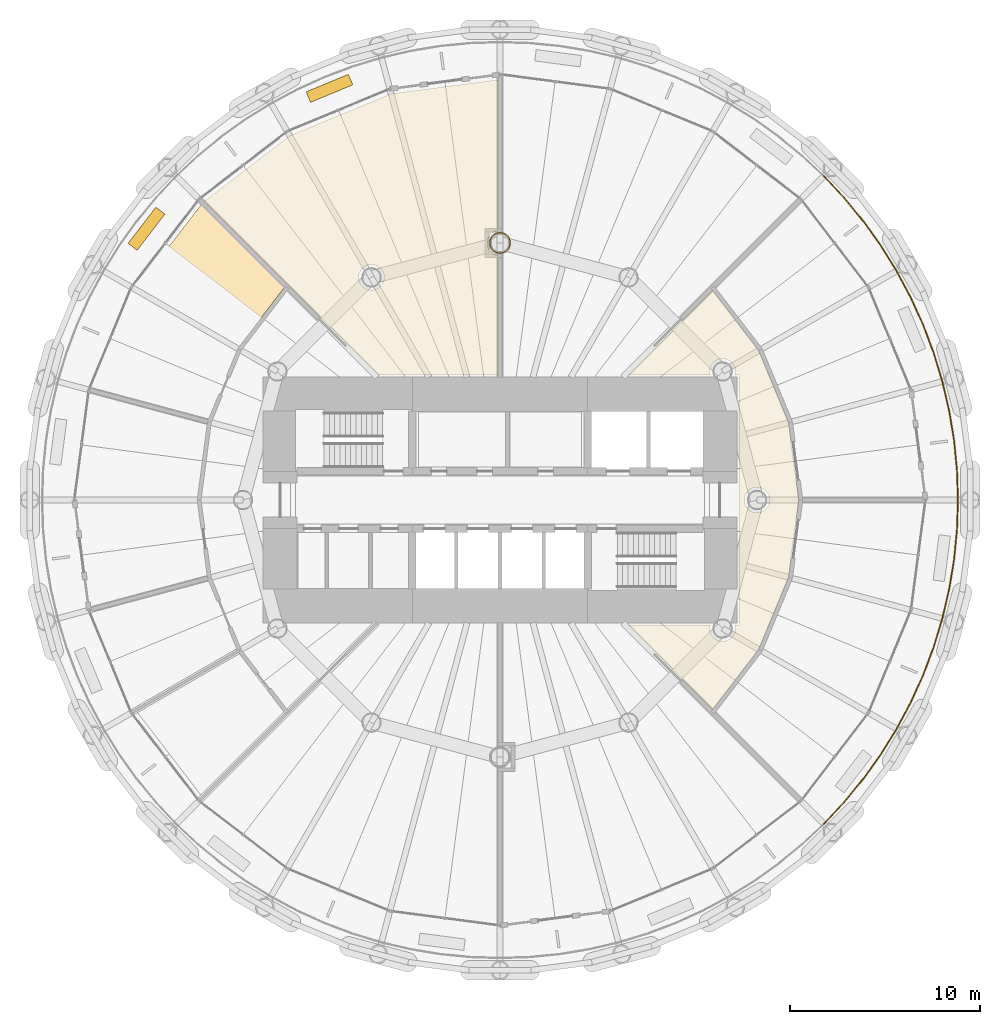
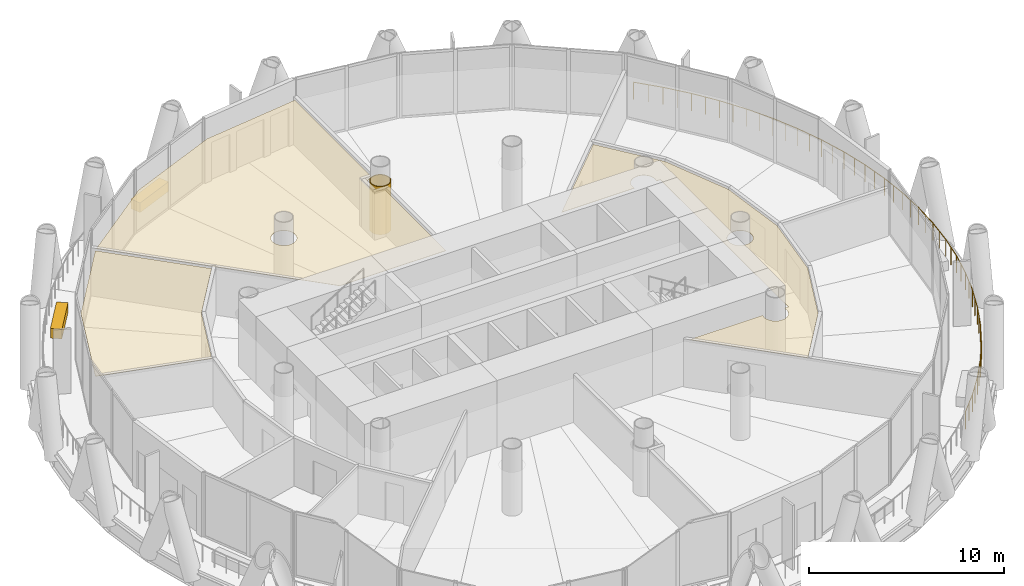
# One storey, part 14 of 15: 6 coverings, 1 railing.
"""IFC4 building model written with IfcOpenShell, lengths in metres."""

import ifcopenshell
import ifcopenshell.guid

model = None  # the IFC model being written
_history = None  # IfcOwnerHistory: only IFC2X3 demands one
_inside = {}  # id of a spatial element -> (the spatial element, [elements in it])
_under = {}  # id of a project, library or spatial element -> (it, [spatial elements below it])
_declared = {}  # id of a project -> (the project, [libraries it declares])
_typed = {}  # id of a type object -> (the type object, [elements of that type])
_made_of = {}  # id of a material, layer set ... -> (it, [elements and type objects made of it])


def new_model(schema):
    """Start an empty IFC model of exactly this schema.

    Asked for "IFC4X3", IfcOpenShell would pick the latest addendum, in which some entities
    have other attributes; the version numbers below select the first issue.
    IFC2X3 requires an IfcOwnerHistory on every rooted entity: one is made here for all.
    """
    global model, _history
    if schema == "IFC4X3":
        model = ifcopenshell.file(schema_version=(4, 3, 0, 0))
    else:
        model = ifcopenshell.file(schema=schema)
    _inside.clear()
    _under.clear()
    _declared.clear()
    _typed.clear()
    _made_of.clear()
    _history = None
    if model.schema == "IFC2X3":
        org = make("IfcOrganization", Name="unknown")
        user = make(
            "IfcPersonAndOrganization",
            ThePerson=make("IfcPerson", FamilyName="unknown"),
            TheOrganization=org,
        )
        app = make(
            "IfcApplication",
            ApplicationDeveloper=org,
            Version="unknown",
            ApplicationFullName="unknown",
            ApplicationIdentifier="unknown",
        )
        _history = make(
            "IfcOwnerHistory",
            OwningUser=user,
            OwningApplication=app,
            ChangeAction="ADDED",
            CreationDate=0,
        )
    return model


def make(cls, **values):
    """One entity of the class cls with the attributes given. An attribute that is None is left unset."""
    return model.create_entity(
        cls, **{name: value for name, value in values.items() if value is not None}
    )


def rooted(cls, **values):
    """An entity with a GlobalId (a new one), such as an element, a storey or a relation."""
    return make(cls, GlobalId=ifcopenshell.guid.new(), OwnerHistory=_history, **values)


def si_unit(unit_type, name, prefix=None):
    """IfcSIUnit, for example si_unit("LENGTHUNIT", "METRE", prefix="MILLI")."""
    return make("IfcSIUnit", UnitType=unit_type, Prefix=prefix, Name=name)


def assignment(units):
    """IfcUnitAssignment: the units of a project."""
    return None if units is None else make("IfcUnitAssignment", Units=units)


def point(xyz):
    """IfcCartesianPoint."""
    return None if xyz is None else make("IfcCartesianPoint", Coordinates=xyz)


def direction(xyz):
    """IfcDirection."""
    return None if xyz is None else make("IfcDirection", DirectionRatios=xyz)


def frame(location, z_axis=None, x_axis=None):
    """IfcAxis2Placement3D, a coordinate frame: its origin and axes. An axis left out is left unset."""
    return make(
        "IfcAxis2Placement3D",
        Location=point(location),
        Axis=direction(z_axis),
        RefDirection=direction(x_axis),
    )


def frame_2d(location, x_axis=None):
    """IfcAxis2Placement2D, a coordinate frame in the plane: its origin and x axis."""
    return make(
        "IfcAxis2Placement2D", Location=point(location), RefDirection=direction(x_axis)
    )


def origin():
    """The frame at (0, 0, 0) with its axes left unset."""
    return frame((0.0, 0.0, 0.0))


def origin_2d():
    """The frame at (0, 0) in the plane with its x axis left unset."""
    return frame_2d((0.0, 0.0))


def place(relative_to, where):
    """IfcLocalPlacement: puts the frame where relative to a parent placement (None: the world)."""
    return make(
        "IfcLocalPlacement", PlacementRelTo=relative_to, RelativePlacement=where
    )


def context(
    kind, dimensions, precision=None, world=None, true_north=None, identifier=None
):
    """IfcGeometricRepresentationContext, for example the 3D "Model" context."""
    return make(
        "IfcGeometricRepresentationContext",
        ContextIdentifier=identifier,
        ContextType=kind,
        CoordinateSpaceDimension=dimensions,
        Precision=precision,
        WorldCoordinateSystem=world,
        TrueNorth=true_north,
    )


def subcontext(parent, identifier, kind, view, scale=None):
    """IfcGeometricRepresentationSubContext, for example "Body" below "Model"."""
    return make(
        "IfcGeometricRepresentationSubContext",
        ContextIdentifier=identifier,
        ContextType=kind,
        ParentContext=parent,
        TargetScale=scale,
        TargetView=view,
    )


def project(units=None, contexts=None):
    """IfcProject with its units and contexts."""
    return rooted(
        "IfcProject",
        Name="project",
        RepresentationContexts=contexts,
        UnitsInContext=assignment(units),
    )


def spatial(cls, under=None, at=None, **own):
    """A site, building, storey or space (cls), placed at a placement, below another one or the project."""
    s = rooted(cls, ObjectPlacement=at, **own)
    if under is not None:
        _under.setdefault(under.id(), (under, []))[1].append(s)
    return s


def polyline(points):
    """IfcPolyline through the points."""
    return make("IfcPolyline", Points=[point(p) for p in points])


def profile(cls, at=None, kind="AREA", **sizes):
    """A parametric profile (cls). Its sizes go by their IFC names, for example OverallWidth=200.0."""
    return make(cls, ProfileType=kind, Position=at, **sizes)


def rectangle(**sizes):
    """IfcRectangleProfileDef."""
    return profile("IfcRectangleProfileDef", **sizes)


def circle(**sizes):
    """IfcCircleProfileDef."""
    return profile("IfcCircleProfileDef", **sizes)


def outline(outer, holes=None, kind="AREA"):
    """IfcArbitraryClosedProfileDef: a profile drawn as a closed curve; with holes, ...WithVoids."""
    if holes is None:
        return make("IfcArbitraryClosedProfileDef", ProfileType=kind, OuterCurve=outer)
    return make(
        "IfcArbitraryProfileDefWithVoids",
        ProfileType=kind,
        OuterCurve=outer,
        InnerCurves=holes,
    )


def extrude(swept, where, along, depth):
    """IfcExtrudedAreaSolid: the profile swept, set in the frame where, extruded along a direction by depth."""
    return make(
        "IfcExtrudedAreaSolid",
        SweptArea=swept,
        Position=where,
        ExtrudedDirection=direction(along),
        Depth=depth,
    )


def shape(context_of_items, identifier, shape_type, items):
    """IfcShapeRepresentation: the items that make up one representation, for example the "Body"."""
    return make(
        "IfcShapeRepresentation",
        ContextOfItems=context_of_items,
        RepresentationIdentifier=identifier,
        RepresentationType=shape_type,
        Items=items,
    )


def material(Name=None, Category=None):
    """IfcMaterial."""
    return make("IfcMaterial", Name=Name, Category=Category)


def layer(
    of_material, thickness, ventilated=None, Name=None, Category=None, Priority=None
):
    """IfcMaterialLayer: one layer of a wall or slab, of a material (None: an air gap)."""
    return make(
        "IfcMaterialLayer",
        Material=of_material,
        LayerThickness=thickness,
        IsVentilated=ventilated,
        Name=Name,
        Category=Category,
        Priority=Priority,
    )


def layer_set(layers, Name=None):
    """IfcMaterialLayerSet."""
    return make("IfcMaterialLayerSet", MaterialLayers=layers, LayerSetName=Name)


def made_of(thing, what):
    """Note that an element or type object is made of a material, layer set ...; save() writes the relation."""
    if what is not None:
        _made_of.setdefault(what.id(), (what, []))[1].append(thing)
    return thing


def type_object(cls, material=None, **own):
    """A type object (cls), such as IfcWallType, which elements share."""
    return made_of(rooted(cls, **own), material)


def element(
    cls,
    number,
    at=None,
    inside=None,
    cuts=None,
    type_object=None,
    material=None,
    context=None,
    identifier="Body",
    shape_type=None,
    held_by="IfcProductDefinitionShape",
    body=None,
    shapes=None,
    **own,
):
    """One element of the class cls, such as IfcWall. Its Tag is "e" and its number.

    at: its placement. inside: the storey or other place that contains it. cuts: it is an
    opening in that element (IfcRelVoidsElement). A single representation is given by context,
    identifier, shape_type and body (its items); several are given by shapes. held_by: the class
    of the entity that holds the representations. save() writes the other relations.
    """
    e = rooted(cls, Tag="e%d" % number, ObjectPlacement=at, **own)
    if body is not None:
        shapes = [shape(context, identifier, shape_type, body)]
    if shapes is not None:
        e.Representation = make(held_by, Representations=shapes)
    if inside is not None:
        _inside.setdefault(inside.id(), (inside, []))[1].append(e)
    if cuts is not None:
        rooted(
            "IfcRelVoidsElement", RelatingBuildingElement=cuts, RelatedOpeningElement=e
        )
    if type_object is not None:
        _typed.setdefault(type_object.id(), (type_object, []))[1].append(e)
    return made_of(e, material)


def aggregate(whole, parts):
    """IfcRelAggregates: a whole, such as a stair, and the parts it consists of."""
    return rooted("IfcRelAggregates", RelatingObject=whole, RelatedObjects=parts)


def save(model, path):
    """Write the relations noted so far, then the file.

    IfcRelAggregates (storeys below a building ...), IfcRelContainedInSpatialStructure (elements
    in a storey), IfcRelDefinesByType, IfcRelAssociatesMaterial and IfcRelDeclares: one each for
    every whole, place, type object, material and project.
    """
    for whole, parts in _under.values():
        aggregate(whole, parts)
    for where, things in _inside.values():
        rooted(
            "IfcRelContainedInSpatialStructure",
            RelatedElements=things,
            RelatingStructure=where,
        )
    for kind, things in _typed.values():
        rooted("IfcRelDefinesByType", RelatedObjects=things, RelatingType=kind)
    for what, things in _made_of.values():
        rooted("IfcRelAssociatesMaterial", RelatedObjects=things, RelatingMaterial=what)
    for by, libraries in _declared.values():
        rooted("IfcRelDeclares", RelatingContext=by, RelatedDefinitions=libraries)
    model.write(path)


model = new_model("IFC4")

# Units and contexts
model_context = context("Model", 3, precision=1e-05, world=origin(), true_north=direction((0.0, 1.0)))
body_context = subcontext(model_context, "Body", "Model", "MODEL_VIEW")
ifc_project = project(units=[si_unit("LENGTHUNIT", "METRE"), si_unit("AREAUNIT", "SQUARE_METRE"), si_unit("VOLUMEUNIT", "CUBIC_METRE"), si_unit("PLANEANGLEUNIT", "RADIAN"), si_unit("MASSUNIT", "GRAM", prefix="KILO")], contexts=[model_context])

# Site, building, storey
site_placement = place(None, origin())
site = spatial("IfcSite", under=ifc_project, at=site_placement, CompositionType="ELEMENT")
building_placement = place(site_placement, origin())
building = spatial("IfcBuilding", under=site, at=building_placement, Name="Qaws Media Tower", CompositionType="ELEMENT")
storey_placement = place(building_placement, frame((0.0, 0.0, 156.199951171875)))
storey = spatial("IfcBuildingStorey", under=building, at=storey_placement, Name="L35", CompositionType="ELEMENT", Elevation=156.199951171875)

# Railing
ifc_material_1 = material(Name="Stainless steel and glass guard", Category="steel")
railing_type = type_object("IfcRailingType", Name="Balcony guard 1100", PredefinedType="GUARDRAIL", material=ifc_material_1)
railing_placement = place(storey_placement, frame((77.005859375, 32.994140625, 0.0)))
element("IfcRailing", 1, at=railing_placement, inside=storey, type_object=railing_type, Name="GR1 balcony guard L35-4", PredefinedType="GUARDRAIL", context=body_context, shape_type="SweptSolid", body=[
    extrude(circle(Radius=0.02392578125, at=origin_2d()), frame((0.0, 0.0, 1.076171875), z_axis=(0.683615985201, 0.729841890259, 0.0), x_axis=(-0.729841890259, 0.683615985201, 0.0)), (0.0, 0.0, 1.0), 1.573974609375),
    extrude(circle(Radius=0.02392578125, at=origin_2d()), frame((1.075927734375, 1.148681640625, 1.076171875), z_axis=(0.634352271014, 0.773044110164, 0.0), x_axis=(-0.773044110164, 0.634352271014, 0.0)), (0.0, 0.0, 1.0), 1.57373046875),
    extrude(circle(Radius=0.02392578125, at=origin_2d()), frame((2.07421875, 2.365234375, 1.076171875), z_axis=(0.582558231621, 0.812788968165, 0.0), x_axis=(-0.812788968165, 0.582558231621, 0.0)), (0.0, 0.0, 1.0), 1.57373046875),
    extrude(circle(Radius=0.02392578125, at=origin_2d()), frame((2.990966796875, 3.644287109375, 1.076171875), z_axis=(0.52800366673, 0.84924209029, 0.0), x_axis=(-0.84924209029, 0.52800366673, 0.0)), (0.0, 0.0, 1.0), 1.573974609375),
    extrude(circle(Radius=0.02392578125, at=origin_2d()), frame((3.822021484375, 4.98095703125, 1.076171875), z_axis=(0.471433439055, 0.881901645616, 0.0), x_axis=(-0.881901645616, 0.471433439055, 0.0)), (0.0, 0.0, 1.0), 1.57373046875),
    extrude(circle(Radius=0.02392578125, at=origin_2d()), frame((4.56396484375, 6.368896484375, 1.076171875), z_axis=(0.412692163403, 0.910870560654, 0.0), x_axis=(-0.910870560654, 0.412692163403, 0.0)), (0.0, 0.0, 1.0), 1.573486328125),
    extrude(circle(Radius=0.02392578125, at=origin_2d()), frame((5.21337890625, 7.80224609375, 1.076171875), z_axis=(0.352296190405, 0.935888558658, 0.0), x_axis=(-0.935888558658, 0.352296190405, 0.0)), (0.0, 0.0, 1.0), 1.57373046875),
    extrude(circle(Radius=0.02392578125, at=origin_2d()), frame((5.767822265625, 9.275146484375, 1.076171875), z_axis=(0.290235570838, 0.956955230625, 0.0), x_axis=(-0.956955230625, 0.290235570838, 0.0)), (0.0, 0.0, 1.0), 1.57373046875),
    extrude(circle(Radius=0.02392578125, at=origin_2d()), frame((6.224609375, 10.78125, 1.076171875), z_axis=(0.227102114156, 0.973870951279, 0.0), x_axis=(-0.973870951279, 0.227102114156, 0.0)), (0.0, 0.0, 1.0), 1.57373046875),
    extrude(circle(Radius=0.02392578125, at=origin_2d()), frame((6.58203125, 12.31396484375, 1.076171875), z_axis=(0.16288939503, 0.986644335608, 0.0), x_axis=(-0.986644335608, 0.16288939503, 0.0)), (0.0, 0.0, 1.0), 1.57373046875),
    extrude(circle(Radius=0.02392578125, at=origin_2d()), frame((6.83837890625, 13.86669921875, 1.076171875), z_axis=(0.098044434613, 0.995182038042, 0.0), x_axis=(-0.995182038042, 0.098044434613, 0.0)), (0.0, 0.0, 1.0), 1.57373046875),
    extrude(circle(Radius=0.02392578125, at=origin_2d()), frame((6.99267578125, 15.432861328125, 1.076171875), z_axis=(0.032731172502, 0.999464191628, 0.0), x_axis=(-0.999464191628, 0.032731172502, 0.0)), (0.0, 0.0, 1.0), 1.57373046875),
    extrude(circle(Radius=0.02392578125, at=origin_2d()), frame((7.044189453125, 17.005859375, 1.076171875), z_axis=(-0.032731172502, 0.999464191628, 0.0), x_axis=(-0.999464191628, -0.032731172502, 0.0)), (0.0, 0.0, 1.0), 1.57373046875),
    extrude(circle(Radius=0.02392578125, at=origin_2d()), frame((6.99267578125, 18.578857421875, 1.076171875), z_axis=(-0.098044434613, 0.995182038042, 0.0), x_axis=(-0.995182038042, -0.098044434613, 0.0)), (0.0, 0.0, 1.0), 1.57373046875),
    extrude(circle(Radius=0.02392578125, at=origin_2d()), frame((6.83837890625, 20.14501953125, 1.076171875), z_axis=(-0.16288939503, 0.986644335608, 0.0), x_axis=(-0.986644335608, -0.16288939503, 0.0)), (0.0, 0.0, 1.0), 1.57373046875),
    extrude(circle(Radius=0.02392578125, at=origin_2d()), frame((6.58203125, 21.69775390625, 1.076171875), z_axis=(-0.227102114156, 0.973870951279, 0.0), x_axis=(-0.973870951279, -0.227102114156, 0.0)), (0.0, 0.0, 1.0), 1.57373046875),
    extrude(circle(Radius=0.02392578125, at=origin_2d()), frame((6.224609375, 23.23046875, 1.076171875), z_axis=(-0.290235570838, 0.956955230625, 0.0), x_axis=(-0.956955230625, -0.290235570838, 0.0)), (0.0, 0.0, 1.0), 1.57373046875),
    extrude(circle(Radius=0.02392578125, at=origin_2d()), frame((5.767822265625, 24.736572265625, 1.076171875), z_axis=(-0.352296190405, 0.935888558658, 0.0), x_axis=(-0.935888558658, -0.352296190405, 0.0)), (0.0, 0.0, 1.0), 1.57373046875),
    extrude(circle(Radius=0.02392578125, at=origin_2d()), frame((5.21337890625, 26.20947265625, 1.076171875), z_axis=(-0.412692163403, 0.910870560654, 0.0), x_axis=(-0.910870560654, -0.412692163403, 0.0)), (0.0, 0.0, 1.0), 1.573486328125),
    extrude(circle(Radius=0.02392578125, at=origin_2d()), frame((4.56396484375, 27.642822265625, 1.076171875), z_axis=(-0.471433439055, 0.881901645616, 0.0), x_axis=(-0.881901645616, -0.471433439055, 0.0)), (0.0, 0.0, 1.0), 1.57373046875),
    extrude(circle(Radius=0.02392578125, at=origin_2d()), frame((3.822021484375, 29.03076171875, 1.076171875), z_axis=(-0.52800366673, 0.84924209029, 0.0), x_axis=(-0.84924209029, -0.52800366673, 0.0)), (0.0, 0.0, 1.0), 1.573974609375),
    extrude(circle(Radius=0.02392578125, at=origin_2d()), frame((2.990966796875, 30.367431640625, 1.076171875), z_axis=(-0.582558231621, 0.812788968165, 0.0), x_axis=(-0.812788968165, -0.582558231621, 0.0)), (0.0, 0.0, 1.0), 1.57373046875),
    extrude(circle(Radius=0.02392578125, at=origin_2d()), frame((2.07421875, 31.646484375, 1.076171875), z_axis=(-0.634352271014, 0.773044110164, 0.0), x_axis=(-0.773044110164, -0.634352271014, 0.0)), (0.0, 0.0, 1.0), 1.57373046875),
    extrude(circle(Radius=0.02392578125, at=origin_2d()), frame((1.075927734375, 32.863037109375, 1.076171875), z_axis=(-0.683615985201, 0.729841890259, 0.0), x_axis=(-0.729841890259, -0.683615985201, 0.0)), (0.0, 0.0, 1.0), 1.573974609375),
    extrude(circle(Radius=0.02099609375, at=origin_2d()), origin(), (0.0, 0.0, 1.0), 1.052001953125),
    extrude(circle(Radius=0.02099609375, at=origin_2d()), frame((0.5380859375, 0.57421875, 0.0)), (0.0, 0.0, 1.0), 1.052001953125),
    extrude(circle(Radius=0.02099609375, at=origin_2d()), frame((1.075927734375, 1.148681640625, 0.0)), (0.0, 0.0, 1.0), 1.052001953125),
    extrude(circle(Radius=0.02099609375, at=origin_2d()), frame((1.5751953125, 1.7568359375, 0.0)), (0.0, 0.0, 1.0), 1.052001953125),
    extrude(circle(Radius=0.02099609375, at=origin_2d()), frame((2.07421875, 2.365234375, 0.0)), (0.0, 0.0, 1.0), 1.052001953125),
    extrude(circle(Radius=0.02099609375, at=origin_2d()), frame((2.53271484375, 3.0048828125, 0.0)), (0.0, 0.0, 1.0), 1.052001953125),
    extrude(circle(Radius=0.02099609375, at=origin_2d()), frame((2.990966796875, 3.644287109375, 0.0)), (0.0, 0.0, 1.0), 1.052001953125),
    extrude(circle(Radius=0.02099609375, at=origin_2d()), frame((3.406494140625, 4.3125, 0.0)), (0.0, 0.0, 1.0), 1.052001953125),
    extrude(circle(Radius=0.02099609375, at=origin_2d()), frame((3.822021484375, 4.98095703125, 0.0)), (0.0, 0.0, 1.0), 1.052001953125),
    extrude(circle(Radius=0.02099609375, at=origin_2d()), frame((4.19287109375, 5.6748046875, 0.0)), (0.0, 0.0, 1.0), 1.052001953125),
    extrude(circle(Radius=0.02099609375, at=origin_2d()), frame((4.56396484375, 6.368896484375, 0.0)), (0.0, 0.0, 1.0), 1.052001953125),
    extrude(circle(Radius=0.02099609375, at=origin_2d()), frame((4.888671875, 7.08544921875, 0.0)), (0.0, 0.0, 1.0), 1.052001953125),
    extrude(circle(Radius=0.02099609375, at=origin_2d()), frame((5.21337890625, 7.80224609375, 0.0)), (0.0, 0.0, 1.0), 1.052001953125),
    extrude(circle(Radius=0.02099609375, at=origin_2d()), frame((5.49072265625, 8.53857421875, 0.0)), (0.0, 0.0, 1.0), 1.052001953125),
    extrude(circle(Radius=0.02099609375, at=origin_2d()), frame((5.767822265625, 9.275146484375, 0.0)), (0.0, 0.0, 1.0), 1.052001953125),
    extrude(circle(Radius=0.02099609375, at=origin_2d()), frame((5.99609375, 10.0283203125, 0.0)), (0.0, 0.0, 1.0), 1.052001953125),
    extrude(circle(Radius=0.02099609375, at=origin_2d()), frame((6.224609375, 10.78125, 0.0)), (0.0, 0.0, 1.0), 1.052001953125),
    extrude(circle(Radius=0.02099609375, at=origin_2d()), frame((6.4033203125, 11.547607421875, 0.0)), (0.0, 0.0, 1.0), 1.052001953125),
    extrude(circle(Radius=0.02099609375, at=origin_2d()), frame((6.58203125, 12.31396484375, 0.0)), (0.0, 0.0, 1.0), 1.052001953125),
    extrude(circle(Radius=0.02099609375, at=origin_2d()), frame((6.710205078125, 13.09033203125, 0.0)), (0.0, 0.0, 1.0), 1.052001953125),
    extrude(circle(Radius=0.02099609375, at=origin_2d()), frame((6.83837890625, 13.86669921875, 0.0)), (0.0, 0.0, 1.0), 1.052001953125),
    extrude(circle(Radius=0.02099609375, at=origin_2d()), frame((6.91552734375, 14.64990234375, 0.0)), (0.0, 0.0, 1.0), 1.052001953125),
    extrude(circle(Radius=0.02099609375, at=origin_2d()), frame((6.99267578125, 15.432861328125, 0.0)), (0.0, 0.0, 1.0), 1.052001953125),
    extrude(circle(Radius=0.02099609375, at=origin_2d()), frame((7.0185546875, 16.21923828125, 0.0)), (0.0, 0.0, 1.0), 1.052001953125),
    extrude(circle(Radius=0.02099609375, at=origin_2d()), frame((7.044189453125, 17.005859375, 0.0)), (0.0, 0.0, 1.0), 1.052001953125),
    extrude(circle(Radius=0.02099609375, at=origin_2d()), frame((7.0185546875, 17.79248046875, 0.0)), (0.0, 0.0, 1.0), 1.052001953125),
    extrude(circle(Radius=0.02099609375, at=origin_2d()), frame((6.99267578125, 18.578857421875, 0.0)), (0.0, 0.0, 1.0), 1.052001953125),
    extrude(circle(Radius=0.02099609375, at=origin_2d()), frame((6.91552734375, 19.36181640625, 0.0)), (0.0, 0.0, 1.0), 1.052001953125),
    extrude(circle(Radius=0.02099609375, at=origin_2d()), frame((6.83837890625, 20.14501953125, 0.0)), (0.0, 0.0, 1.0), 1.052001953125),
    extrude(circle(Radius=0.02099609375, at=origin_2d()), frame((6.710205078125, 20.92138671875, 0.0)), (0.0, 0.0, 1.0), 1.052001953125),
    extrude(circle(Radius=0.02099609375, at=origin_2d()), frame((6.58203125, 21.69775390625, 0.0)), (0.0, 0.0, 1.0), 1.052001953125),
    extrude(circle(Radius=0.02099609375, at=origin_2d()), frame((6.4033203125, 22.464111328125, 0.0)), (0.0, 0.0, 1.0), 1.052001953125),
    extrude(circle(Radius=0.02099609375, at=origin_2d()), frame((6.224609375, 23.23046875, 0.0)), (0.0, 0.0, 1.0), 1.052001953125),
    extrude(circle(Radius=0.02099609375, at=origin_2d()), frame((5.99609375, 23.9833984375, 0.0)), (0.0, 0.0, 1.0), 1.052001953125),
    extrude(circle(Radius=0.02099609375, at=origin_2d()), frame((5.767822265625, 24.736572265625, 0.0)), (0.0, 0.0, 1.0), 1.052001953125),
    extrude(circle(Radius=0.02099609375, at=origin_2d()), frame((5.49072265625, 25.47314453125, 0.0)), (0.0, 0.0, 1.0), 1.052001953125),
    extrude(circle(Radius=0.02099609375, at=origin_2d()), frame((5.21337890625, 26.20947265625, 0.0)), (0.0, 0.0, 1.0), 1.052001953125),
    extrude(circle(Radius=0.02099609375, at=origin_2d()), frame((4.888671875, 26.92626953125, 0.0)), (0.0, 0.0, 1.0), 1.052001953125),
    extrude(circle(Radius=0.02099609375, at=origin_2d()), frame((4.56396484375, 27.642822265625, 0.0)), (0.0, 0.0, 1.0), 1.052001953125),
    extrude(circle(Radius=0.02099609375, at=origin_2d()), frame((4.19287109375, 28.3369140625, 0.0)), (0.0, 0.0, 1.0), 1.052001953125),
    extrude(circle(Radius=0.02099609375, at=origin_2d()), frame((3.822021484375, 29.03076171875, 0.0)), (0.0, 0.0, 1.0), 1.052001953125),
    extrude(circle(Radius=0.02099609375, at=origin_2d()), frame((3.406494140625, 29.69921875, 0.0)), (0.0, 0.0, 1.0), 1.052001953125),
    extrude(circle(Radius=0.02099609375, at=origin_2d()), frame((2.990966796875, 30.367431640625, 0.0)), (0.0, 0.0, 1.0), 1.052001953125),
    extrude(circle(Radius=0.02099609375, at=origin_2d()), frame((2.53271484375, 31.0068359375, 0.0)), (0.0, 0.0, 1.0), 1.052001953125),
    extrude(circle(Radius=0.02099609375, at=origin_2d()), frame((2.07421875, 31.646484375, 0.0)), (0.0, 0.0, 1.0), 1.052001953125),
    extrude(circle(Radius=0.02099609375, at=origin_2d()), frame((1.5751953125, 32.2548828125, 0.0)), (0.0, 0.0, 1.0), 1.052001953125),
    extrude(circle(Radius=0.02099609375, at=origin_2d()), frame((1.075927734375, 32.863037109375, 0.0)), (0.0, 0.0, 1.0), 1.052001953125),
    extrude(circle(Radius=0.02099609375, at=origin_2d()), frame((0.5380859375, 33.4375, 0.0)), (0.0, 0.0, 1.0), 1.052001953125),
    extrude(circle(Radius=0.02099609375, at=origin_2d()), frame((0.0, 34.01171875, 0.0)), (0.0, 0.0, 1.0), 1.052001953125),
])

# Coverings
ifc_material_2 = material(Name="Two layers 15 fire-rated gypsum board on steel framing", Category="steel")
ifc_layer_1 = layer(ifc_material_2, 0.050048828125)
ifc_layer_set_1 = layer_set([ifc_layer_1], Name="Column fire casing")
covering_type_1 = type_object("IfcCoveringType", Name="Column fire casing", PredefinedType="CLADDING", material=ifc_layer_set_1)
covering_1_placement = place(storey_placement, origin())
element("IfcCovering", 2, at=covering_1_placement, inside=storey, type_object=covering_type_1, Name="CC1 column casing L35", PredefinedType="CLADDING", context=body_context, shape_type="SweptSolid", body=[
    extrude(outline(polyline([(60.56298828125, 63.5), (60.55810546875, 63.426513671875), (60.543701171875, 63.354248046875), (60.52001953125, 63.284423828125), (60.487548828125, 63.218505859375), (60.44677734375, 63.1572265625), (60.398193359375, 63.101806640625), (60.3427734375, 63.05322265625), (60.281494140625, 63.012451171875), (60.215576171875, 62.97998046875), (60.145751953125, 62.956298828125), (60.073486328125, 62.94189453125), (60.0, 62.93701171875), (59.926513671875, 62.94189453125), (59.854248046875, 62.956298828125), (59.784423828125, 62.97998046875), (59.718505859375, 63.012451171875), (59.6572265625, 63.05322265625), (59.601806640625, 63.101806640625), (59.55322265625, 63.1572265625), (59.512451171875, 63.218505859375), (59.47998046875, 63.284423828125), (59.456298828125, 63.354248046875), (59.44189453125, 63.426513671875), (59.43701171875, 63.5), (59.44189453125, 63.573486328125), (59.456298828125, 63.645751953125), (59.47998046875, 63.715576171875), (59.512451171875, 63.781494140625), (59.55322265625, 63.8427734375), (59.601806640625, 63.898193359375), (59.6572265625, 63.94677734375), (59.718505859375, 63.987548828125), (59.784423828125, 64.02001953125), (59.854248046875, 64.043701171875), (59.926513671875, 64.05810546875), (60.0, 64.06298828125), (60.073486328125, 64.05810546875), (60.145751953125, 64.043701171875), (60.215576171875, 64.02001953125), (60.281494140625, 63.987548828125), (60.3427734375, 63.94677734375), (60.398193359375, 63.898193359375), (60.44677734375, 63.8427734375), (60.487548828125, 63.781494140625), (60.52001953125, 63.715576171875), (60.543701171875, 63.645751953125), (60.55810546875, 63.573486328125), (60.56298828125, 63.5)]), holes=[polyline([(60.510986328125, 63.5), (60.506591796875, 63.433349609375), (60.49365234375, 63.36767578125), (60.47216796875, 63.304443359375), (60.4423828125, 63.244384765625), (60.405517578125, 63.18896484375), (60.361328125, 63.138671875), (60.31103515625, 63.094482421875), (60.255615234375, 63.0576171875), (60.195556640625, 63.02783203125), (60.13232421875, 63.00634765625), (60.066650390625, 62.993408203125), (60.0, 62.989013671875), (59.933349609375, 62.993408203125), (59.86767578125, 63.00634765625), (59.804443359375, 63.02783203125), (59.744384765625, 63.0576171875), (59.68896484375, 63.094482421875), (59.638671875, 63.138671875), (59.594482421875, 63.18896484375), (59.5576171875, 63.244384765625), (59.52783203125, 63.304443359375), (59.50634765625, 63.36767578125), (59.493408203125, 63.433349609375), (59.489013671875, 63.5), (59.493408203125, 63.566650390625), (59.50634765625, 63.63232421875), (59.52783203125, 63.695556640625), (59.5576171875, 63.755615234375), (59.594482421875, 63.81103515625), (59.638671875, 63.861328125), (59.68896484375, 63.905517578125), (59.744384765625, 63.9423828125), (59.804443359375, 63.97216796875), (59.86767578125, 63.99365234375), (59.933349609375, 64.006591796875), (60.0, 64.010986328125), (60.066650390625, 64.006591796875), (60.13232421875, 63.99365234375), (60.195556640625, 63.97216796875), (60.255615234375, 63.9423828125), (60.31103515625, 63.905517578125), (60.361328125, 63.861328125), (60.405517578125, 63.81103515625), (60.4423828125, 63.755615234375), (60.47216796875, 63.695556640625), (60.49365234375, 63.63232421875), (60.506591796875, 63.566650390625), (60.510986328125, 63.5)])]), origin(), (0.0, 0.0, 1.0), 3.011962890625),
])
ifc_material_3 = material(Name="600 x 600 mineral fibre tiles in exposed grid, suspended", Category="mineral fibre")
ifc_layer_2 = layer(ifc_material_3, 0.02001953125)
ifc_layer_set_2 = layer_set([ifc_layer_2], Name="Mineral fibre tile ceiling 20")
covering_type_2 = type_object("IfcCoveringType", Name="Mineral fibre tile ceiling 20", PredefinedType="CEILING", material=ifc_layer_set_2)
covering_2_placement = place(storey_placement, frame((0.0, 0.0, 2.85009765625)))
element("IfcCovering", 3, at=covering_2_placement, inside=storey, type_object=covering_type_2, Name="CL1 ceiling L35-01 Corridor", PredefinedType="CEILING", context=body_context, shape_type="SweptSolid", body=[
    extrude(outline(polyline([(73.5849609375, 57.84326171875), (75.152099609375, 54.06005859375), (75.6865234375, 50.0), (75.152099609375, 45.93994140625), (73.5849609375, 42.15673828125), (71.1611328125, 38.998046875), (66.7216796875, 43.4375), (71.051025390625, 43.4375), (71.046142578125, 43.4228515625), (71.029052734375, 43.337158203125), (71.023193359375, 43.25), (71.029052734375, 43.162841796875), (71.046142578125, 43.0771484375), (71.07421875, 42.994384765625), (71.11279296875, 42.916015625), (71.161376953125, 42.84326171875), (71.218994140625, 42.777587890625), (71.28466796875, 42.719970703125), (71.357421875, 42.67138671875), (71.435791015625, 42.6328125), (71.5185546875, 42.604736328125), (71.604248046875, 42.587646484375), (71.69140625, 42.58203125), (71.778564453125, 42.587646484375), (71.8642578125, 42.604736328125), (71.947021484375, 42.6328125), (72.025390625, 42.67138671875), (72.097900390625, 42.719970703125), (72.163818359375, 42.777587890625), (72.22119140625, 42.84326171875), (72.269775390625, 42.916015625), (72.30859375, 42.994384765625), (72.336669921875, 43.0771484375), (72.353515625, 43.162841796875), (72.359375, 43.25), (72.353515625, 43.337158203125), (72.336669921875, 43.4228515625), (72.33154296875, 43.4375), (72.5625, 43.4375), (72.5625, 56.5625), (72.33154296875, 56.5625), (72.336669921875, 56.5771484375), (72.353515625, 56.662841796875), (72.359375, 56.75), (72.353515625, 56.837158203125), (72.336669921875, 56.9228515625), (72.30859375, 57.005615234375), (72.269775390625, 57.083984375), (72.22119140625, 57.15673828125), (72.163818359375, 57.222412109375), (72.097900390625, 57.280029296875), (72.025390625, 57.32861328125), (71.947021484375, 57.3671875), (71.8642578125, 57.395263671875), (71.778564453125, 57.412353515625), (71.69140625, 57.41796875), (71.604248046875, 57.412353515625), (71.5185546875, 57.395263671875), (71.435791015625, 57.3671875), (71.357421875, 57.32861328125), (71.28466796875, 57.280029296875), (71.218994140625, 57.222412109375), (71.161376953125, 57.15673828125), (71.11279296875, 57.083984375), (71.07421875, 57.005615234375), (71.046142578125, 56.9228515625), (71.029052734375, 56.837158203125), (71.023193359375, 56.75), (71.029052734375, 56.662841796875), (71.046142578125, 56.5771484375), (71.051025390625, 56.5625), (66.7216796875, 56.5625), (71.1611328125, 61.001953125), (73.5849609375, 57.84326171875)]), holes=[polyline([(74.145263671875, 49.8271484375), (74.162353515625, 49.912841796875), (74.16796875, 50.0), (74.162353515625, 50.087158203125), (74.145263671875, 50.1728515625), (74.1171875, 50.255615234375), (74.07861328125, 50.333984375), (74.030029296875, 50.40673828125), (73.972412109375, 50.472412109375), (73.90673828125, 50.530029296875), (73.833984375, 50.57861328125), (73.755615234375, 50.6171875), (73.6728515625, 50.645263671875), (73.587158203125, 50.662353515625), (73.5, 50.66796875), (73.412841796875, 50.662353515625), (73.3271484375, 50.645263671875), (73.244384765625, 50.6171875), (73.166015625, 50.57861328125), (73.09326171875, 50.530029296875), (73.027587890625, 50.472412109375), (72.969970703125, 50.40673828125), (72.92138671875, 50.333984375), (72.8828125, 50.255615234375), (72.854736328125, 50.1728515625), (72.837646484375, 50.087158203125), (72.83203125, 50.0), (72.837646484375, 49.912841796875), (72.854736328125, 49.8271484375), (72.8828125, 49.744384765625), (72.92138671875, 49.666015625), (72.969970703125, 49.59326171875), (73.027587890625, 49.527587890625), (73.09326171875, 49.469970703125), (73.166015625, 49.42138671875), (73.244384765625, 49.3828125), (73.3271484375, 49.354736328125), (73.412841796875, 49.337646484375), (73.5, 49.33203125), (73.587158203125, 49.337646484375), (73.6728515625, 49.354736328125), (73.755615234375, 49.3828125), (73.833984375, 49.42138671875), (73.90673828125, 49.469970703125), (73.972412109375, 49.527587890625), (74.030029296875, 49.59326171875), (74.07861328125, 49.666015625), (74.1171875, 49.744384765625), (74.145263671875, 49.8271484375)])]), origin(), (0.0, 0.0, 1.0), 0.02001953125),
])
covering_3_placement = place(storey_placement, frame((0.0, 0.0, 2.85009765625)))
element("IfcCovering", 4, at=covering_3_placement, inside=storey, type_object=covering_type_2, Name="CL1 ceiling L35-04 Network operations room", PredefinedType="CEILING", context=body_context, shape_type="SweptSolid", body=[
    extrude(outline(polyline([(48.95751953125, 69.12646484375), (54.283935546875, 71.332763671875), (59.887451171875, 72.0703125), (59.887451171875, 64.1572265625), (59.8271484375, 64.145263671875), (59.744384765625, 64.1171875), (59.666015625, 64.07861328125), (59.59326171875, 64.030029296875), (59.527587890625, 63.972412109375), (59.469970703125, 63.90673828125), (59.42138671875, 63.833984375), (59.3828125, 63.755615234375), (59.354736328125, 63.6728515625), (59.337646484375, 63.587158203125), (59.33203125, 63.5), (59.337646484375, 63.412841796875), (59.354736328125, 63.3271484375), (59.3828125, 63.244384765625), (59.42138671875, 63.166015625), (59.469970703125, 63.09326171875), (59.527587890625, 63.027587890625), (59.59326171875, 62.969970703125), (59.666015625, 62.92138671875), (59.744384765625, 62.8828125), (59.8271484375, 62.854736328125), (59.887451171875, 62.8427734375), (59.887451171875, 56.5625), (53.5966796875, 56.5625), (44.473388671875, 65.685791015625), (48.95751953125, 69.12646484375)]), holes=[polyline([(53.8671875, 61.435791015625), (53.895263671875, 61.5185546875), (53.912353515625, 61.604248046875), (53.91796875, 61.69140625), (53.912353515625, 61.778564453125), (53.895263671875, 61.8642578125), (53.8671875, 61.947021484375), (53.82861328125, 62.025390625), (53.780029296875, 62.097900390625), (53.722412109375, 62.163818359375), (53.65673828125, 62.22119140625), (53.583984375, 62.269775390625), (53.505615234375, 62.30859375), (53.4228515625, 62.336669921875), (53.337158203125, 62.353515625), (53.25, 62.359375), (53.162841796875, 62.353515625), (53.0771484375, 62.336669921875), (52.994384765625, 62.30859375), (52.916015625, 62.269775390625), (52.84326171875, 62.22119140625), (52.777587890625, 62.163818359375), (52.719970703125, 62.097900390625), (52.67138671875, 62.025390625), (52.6328125, 61.947021484375), (52.604736328125, 61.8642578125), (52.587646484375, 61.778564453125), (52.58203125, 61.69140625), (52.587646484375, 61.604248046875), (52.604736328125, 61.5185546875), (52.6328125, 61.435791015625), (52.67138671875, 61.357421875), (52.719970703125, 61.28466796875), (52.777587890625, 61.218994140625), (52.84326171875, 61.161376953125), (52.916015625, 61.11279296875), (52.994384765625, 61.07421875), (53.0771484375, 61.046142578125), (53.162841796875, 61.029052734375), (53.25, 61.023193359375), (53.337158203125, 61.029052734375), (53.4228515625, 61.046142578125), (53.505615234375, 61.07421875), (53.583984375, 61.11279296875), (53.65673828125, 61.161376953125), (53.722412109375, 61.218994140625), (53.780029296875, 61.28466796875), (53.82861328125, 61.357421875), (53.8671875, 61.435791015625)])]), origin(), (0.0, 0.0, 1.0), 0.02001953125),
])
ifc_material_4 = material(Name="Precast concrete planter with trailing planting", Category="concrete")
ifc_layer_3 = layer(ifc_material_4, 0.60009765625)
ifc_layer_set_3 = layer_set([ifc_layer_3], Name="Planter 2400x600")
covering_type_3 = type_object("IfcCoveringType", Name="Planter 2400x600", PredefinedType="USERDEFINED", material=ifc_layer_set_3)
for number, where, z_axis, x_axis, name in (
    (5, (51.045166015625, 71.618896484375, 0.0), (0.0, 0.0, 1.0), (-0.923879532511, -0.382683432365, 0.0), "PL1 balcony planter L35-04"),
    (6, (41.435546875, 64.2451171875, 0.0), (0.0, 0.0, 1.0), (-0.608761429009, -0.793353340291, 0.0), "PL1 balcony planter L35-05"),
):
    element("IfcCovering", number, at=place(storey_placement, frame(where, z_axis=z_axis, x_axis=x_axis)), inside=storey, type_object=covering_type_3, Name=name, ObjectType="PLANTER", PredefinedType="USERDEFINED", context=body_context, shape_type="SweptSolid", body=[
        extrude(rectangle(XDim=2.39990234375, YDim=0.60009765625, at=origin_2d()), origin(), (0.0, 0.0, 1.0), 0.60009765625),
    ])
ifc_material_5 = material(Name="Two layers 12.5 moisture-resistant plasterboard on suspended metal furring", Category="gypsum")
ifc_layer_4 = layer(ifc_material_5, 0.02490234375)
ifc_layer_set_4 = layer_set([ifc_layer_4], Name="Plasterboard ceiling 25")
covering_type_4 = type_object("IfcCoveringType", Name="Plasterboard ceiling 25", PredefinedType="CEILING", material=ifc_layer_set_4)
covering_4_placement = place(storey_placement, frame((0.0, 0.0, 2.85009765625)))
element("IfcCovering", 7, at=covering_4_placement, inside=storey, type_object=covering_type_4, Name="CL2 ceiling L35-05 Help desk", PredefinedType="CEILING", context=body_context, shape_type="SweptSolid", body=[
    extrude(outline(polyline([(40.87353515625, 61.04248046875), (44.314208984375, 65.526611328125), (48.678466796875, 61.16259765625), (46.218505859375, 57.956787109375), (44.672119140625, 54.223388671875), (38.710693359375, 55.82080078125), (40.87353515625, 61.04248046875)])), origin(), (0.0, 0.0, 1.0), 0.02490234375),
])

save(model, "model.ifc")
